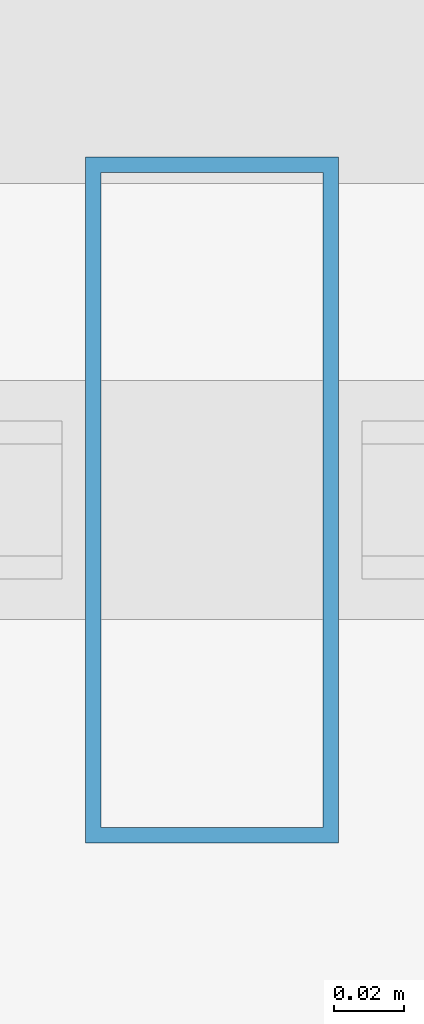
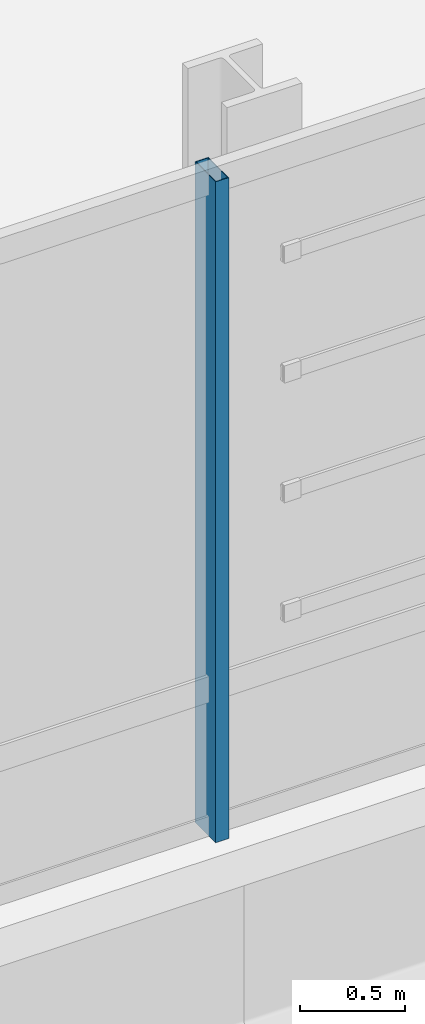
# One storey, part 6 of 36: 1 member, 1 element without a shape of its own.
"""IFC4 building model written with IfcOpenShell, lengths in metres."""

from ifc_helpers import new_model, si_unit, direction, frame, origin, origin_2d, place, context, subcontext, project, spatial, hollow_rectangle, extrude, material, material_profile, profile_set, type_object, element, aggregate, save


model = new_model("IFC4")

# Units and contexts
model_context = context("Model", 3, precision=1e-05, world=origin(), true_north=direction((0.0, 1.0)))
body_context = subcontext(model_context, "Body", "Model", "MODEL_VIEW")
ifc_project = project(units=[si_unit("LENGTHUNIT", "METRE"), si_unit("AREAUNIT", "SQUARE_METRE"), si_unit("VOLUMEUNIT", "CUBIC_METRE"), si_unit("PLANEANGLEUNIT", "RADIAN"), si_unit("MASSUNIT", "GRAM", prefix="KILO")], contexts=[model_context])

# Site, building, storey
site_placement = place(None, origin())
site = spatial("IfcSite", under=ifc_project, at=site_placement, CompositionType="ELEMENT")
building_placement = place(site_placement, origin())
building = spatial("IfcBuilding", under=site, at=building_placement, Name="Punatoya Terracotta Tower", CompositionType="ELEMENT")
storey_placement = place(building_placement, frame((0.0, 0.0, 184.35009765625)))
storey = spatial("IfcBuildingStorey", under=building, at=storey_placement, Name="L43", CompositionType="ELEMENT", Elevation=184.35009765625)

# Curtain wall, member
ifc_material_1 = material(Name="Aluminium 6063-T6 + Double Low-E Glass", Category="aluminium")
curtain_wall_type = type_object("IfcCurtainWallType", Name="CW-M2", PredefinedType="NOTDEFINED", material=ifc_material_1)
curtain_wall_placement = place(storey_placement, origin())
curtain_wall = element("IfcCurtainWall", 1, at=curtain_wall_placement, inside=storey, type_object=curtain_wall_type, Name="L43 Curtain Wall CW-L43-S01-1", PredefinedType="NOTDEFINED")
ifc_material_2 = material(Name="Aluminium 6063-T6", Category="aluminium")
ifc_material_profile = material_profile(ifc_material_2, hollow_rectangle(XDim=0.072021484375, YDim=0.195068359375, WallThickness=0.00439453125, at=origin_2d()))
ifc_profile_set = profile_set([ifc_material_profile], Name="Aluminium 6063-T6")
member_type = type_object("IfcMemberType", Name="CW-MUL-M2", PredefinedType="MULLION", material=ifc_profile_set)
member_placement = place(storey_placement, frame((-4.1669921875, -23.25, 0.0), z_axis=(0.0, 0.0, 1.0), x_axis=(1.0, 0.0, 0.0)))
member = element("IfcMember", 2, at=member_placement, type_object=member_type, Name="CW-L43-S01-1 Mullion 05", PredefinedType="MULLION", context=body_context, shape_type="SweptSolid", body=[
    extrude(hollow_rectangle(XDim=0.072021484375, YDim=0.195068359375, WallThickness=0.00439453125, at=origin_2d()), origin(), (0.0, 0.0, 1.0), 3.829833984375),
])
aggregate(curtain_wall, [member])

save(model, "model.ifc")
